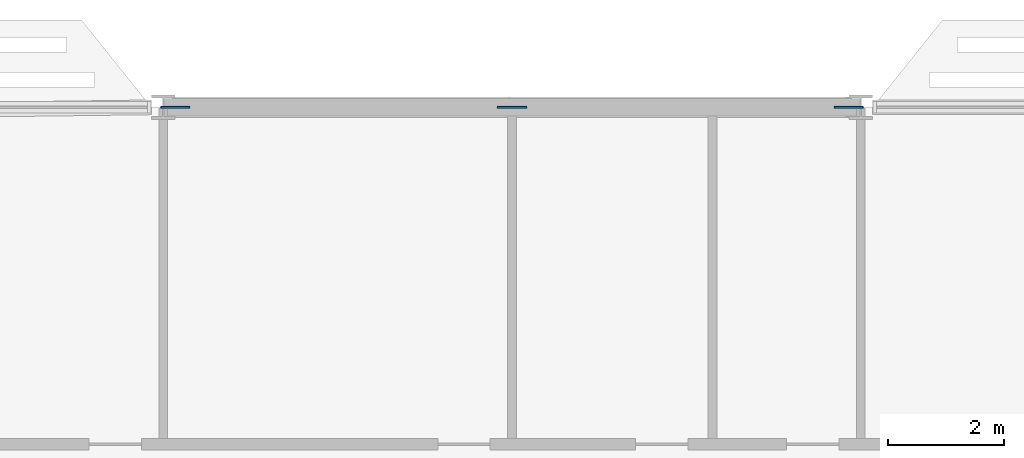
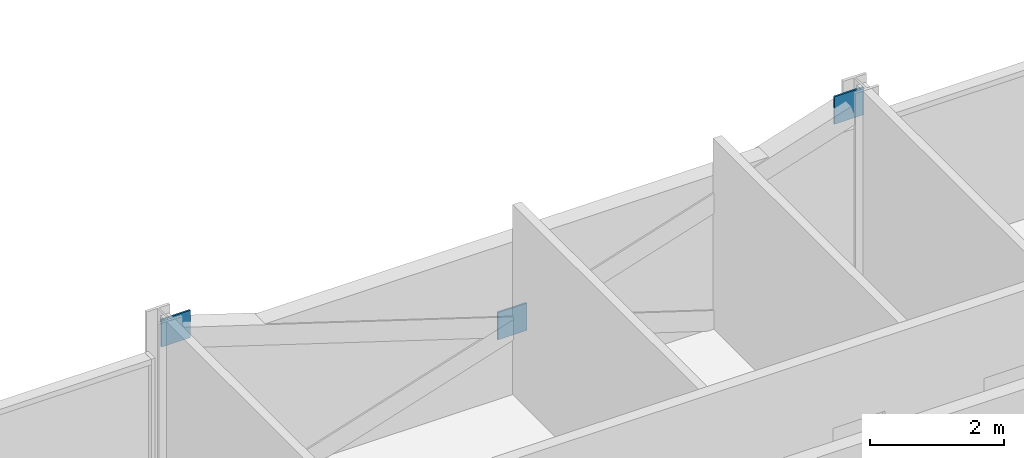
# One storey, part 19 of 27: 3 discrete accessories.
"""IFC4 building model written with IfcOpenShell, lengths in metres."""

from ifc_helpers import new_model, si_unit, direction, frame, origin, origin_2d, place, context, subcontext, project, spatial, rectangle, extrude, material, layer, layer_set, type_object, element, save


model = new_model("IFC4")

# Units and contexts
model_context = context("Model", 3, precision=1e-05, world=origin(), true_north=direction((0.0, 1.0)))
body_context = subcontext(model_context, "Body", "Model", "MODEL_VIEW")
ifc_project = project(units=[si_unit("LENGTHUNIT", "METRE"), si_unit("AREAUNIT", "SQUARE_METRE"), si_unit("VOLUMEUNIT", "CUBIC_METRE"), si_unit("PLANEANGLEUNIT", "RADIAN"), si_unit("MASSUNIT", "GRAM", prefix="KILO")], contexts=[model_context])

# Site, building, storey
site_placement = place(None, origin())
site = spatial("IfcSite", under=ifc_project, at=site_placement, CompositionType="ELEMENT")
building_placement = place(site_placement, origin())
building = spatial("IfcBuilding", under=site, at=building_placement, Name="Mahtab Terrace Research Tower", CompositionType="ELEMENT")
storey_placement = place(building_placement, frame((0.0, 0.0, 182.0)))
storey = spatial("IfcBuildingStorey", under=building, at=storey_placement, Name="L43", CompositionType="ELEMENT", Elevation=182.0)

# Discrete accessories
ifc_material = material(Name="Steel ASTM A992 Gr 50", Category="steel")
ifc_layer = layer(ifc_material, 0.030029296875)
ifc_layer_set = layer_set([ifc_layer], Name="Gusset plate 500x500x30")
discrete_accessory_type = type_object("IfcDiscreteAccessoryType", Name="Gusset plate 500x500x30", PredefinedType="USERDEFINED", material=ifc_layer_set)
for number, where, z_axis, x_axis, name in (
    (1, (-29.796875, 23.0, 2.870361328125), (0.0, 0.0, 1.0), (1.0, 0.0, 0.0), "Gusset plate"),
    (2, (-24.0, 23.0, 0.970947265625), (0.0, 0.0, 1.0), (1.0, 0.0, 0.0), "Gusset plate"),
    (3, (-18.203125, 23.0, 2.870361328125), (0.0, 0.0, 1.0), (1.0, 0.0, 0.0), "Gusset plate"),
):
    element("IfcDiscreteAccessory", number, at=place(storey_placement, frame(where, z_axis=z_axis, x_axis=x_axis)), inside=storey, type_object=discrete_accessory_type, Name=name, ObjectType="GUSSET PLATE", PredefinedType="USERDEFINED", context=body_context, shape_type="SweptSolid", body=[
        extrude(rectangle(XDim=0.5, YDim=0.030029296875, at=origin_2d()), origin(), (0.0, 0.0, 1.0), 0.5),
    ])

save(model, "model.ifc")
